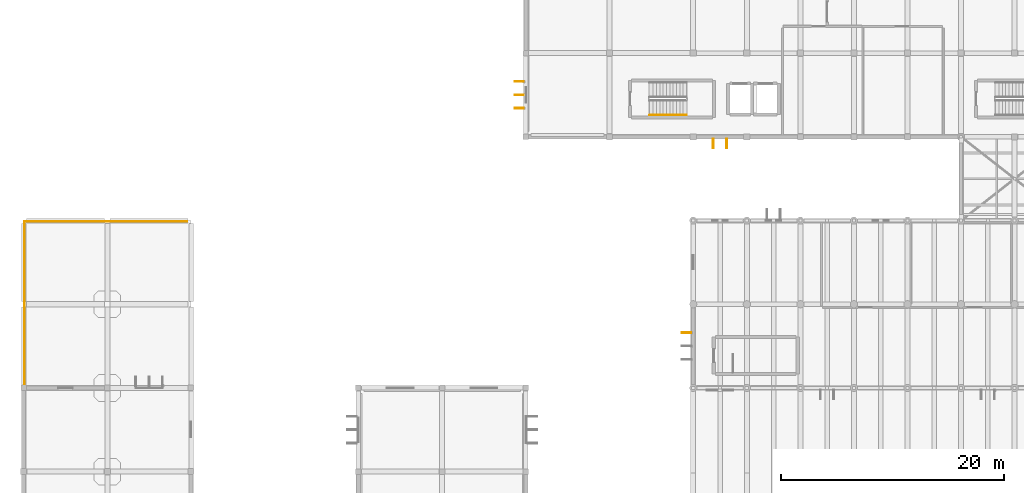
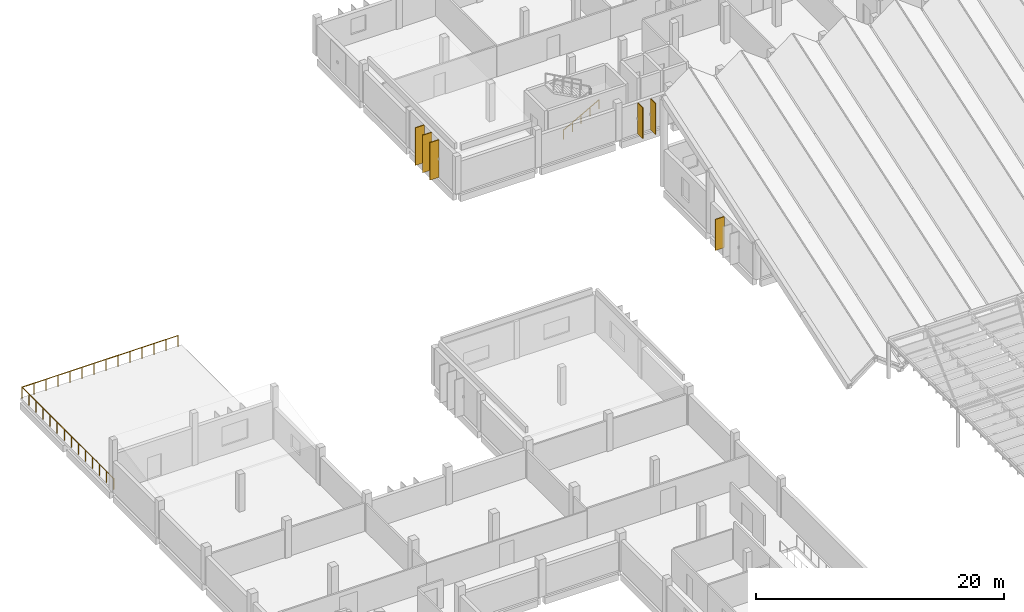
# One storey, part 43 of 47: 6 shading devices, 3 railings.
"""IFC4 building model written with IfcOpenShell, lengths in metres."""

from ifc_helpers import new_model, si_unit, direction, frame, origin, origin_2d, place, context, subcontext, project, spatial, hollow_rectangle, circle, extrude, material, material_profile, profile_set, type_object, element, save


model = new_model("IFC4")

# Units and contexts
model_context = context("Model", 3, precision=1e-05, world=origin(), true_north=direction((0.0, 1.0)))
body_context = subcontext(model_context, "Body", "Model", "MODEL_VIEW")
ifc_project = project(units=[si_unit("LENGTHUNIT", "METRE"), si_unit("AREAUNIT", "SQUARE_METRE"), si_unit("VOLUMEUNIT", "CUBIC_METRE"), si_unit("PLANEANGLEUNIT", "RADIAN"), si_unit("MASSUNIT", "GRAM", prefix="KILO")], contexts=[model_context])

# Site, building, storey
site_placement = place(None, origin())
site = spatial("IfcSite", under=ifc_project, at=site_placement, CompositionType="ELEMENT")
building_placement = place(site_placement, origin())
building = spatial("IfcBuilding", under=site, at=building_placement, Name="Mawjan Specialist Oncology Clinic", CompositionType="ELEMENT")
storey_placement = place(building_placement, frame((0.0, 0.0, 9.5)))
storey = spatial("IfcBuildingStorey", under=building, at=storey_placement, Name="L02", CompositionType="ELEMENT", Elevation=9.5)

# Railings
ifc_material_1 = material(Name="Laminated glass and stainless-steel balustrade", Category="steel")
railing_type_1 = type_object("IfcRailingType", Name="BL-110", PredefinedType="BALUSTRADE", material=ifc_material_1)
railing_1_placement = place(storey_placement, frame((0.080078125, 60.8798828125, 0.0)))
element("IfcRailing", 1, at=railing_1_placement, inside=storey, type_object=railing_type_1, Name="L02 Terrace Edge Balustrade 3", PredefinedType="BALUSTRADE", context=body_context, shape_type="SweptSolid", body=[
    extrude(circle(Radius=0.02392578125, at=origin_2d()), frame((0.0, 0.0, 1.076171875), z_axis=(0.0, 1.0, 0.0), x_axis=(-1.0, 0.0, 0.0)), (0.0, 0.0, 1.0), 14.840087890625),
    extrude(circle(Radius=0.02099609375, at=origin_2d()), origin(), (0.0, 0.0, 1.0), 1.052001953125),
    extrude(circle(Radius=0.02099609375, at=origin_2d()), frame((0.0, 1.1416015625, 0.0)), (0.0, 0.0, 1.0), 1.052001953125),
    extrude(circle(Radius=0.02099609375, at=origin_2d()), frame((0.0, 2.283203125, 0.0)), (0.0, 0.0, 1.0), 1.052001953125),
    extrude(circle(Radius=0.02099609375, at=origin_2d()), frame((0.0, 3.424560546875, 0.0)), (0.0, 0.0, 1.0), 1.052001953125),
    extrude(circle(Radius=0.02099609375, at=origin_2d()), frame((0.0, 4.566162109375, 0.0)), (0.0, 0.0, 1.0), 1.052001953125),
    extrude(circle(Radius=0.02099609375, at=origin_2d()), frame((0.0, 5.707763671875, 0.0)), (0.0, 0.0, 1.0), 1.052001953125),
    extrude(circle(Radius=0.02099609375, at=origin_2d()), frame((0.0, 6.849365234375, 0.0)), (0.0, 0.0, 1.0), 1.052001953125),
    extrude(circle(Radius=0.02099609375, at=origin_2d()), frame((0.0, 7.99072265625, 0.0)), (0.0, 0.0, 1.0), 1.052001953125),
    extrude(circle(Radius=0.02099609375, at=origin_2d()), frame((0.0, 9.13232421875, 0.0)), (0.0, 0.0, 1.0), 1.052001953125),
    extrude(circle(Radius=0.02099609375, at=origin_2d()), frame((0.0, 10.27392578125, 0.0)), (0.0, 0.0, 1.0), 1.052001953125),
    extrude(circle(Radius=0.02099609375, at=origin_2d()), frame((0.0, 11.41552734375, 0.0)), (0.0, 0.0, 1.0), 1.052001953125),
    extrude(circle(Radius=0.02099609375, at=origin_2d()), frame((0.0, 12.556884765625, 0.0)), (0.0, 0.0, 1.0), 1.052001953125),
    extrude(circle(Radius=0.02099609375, at=origin_2d()), frame((0.0, 13.698486328125, 0.0)), (0.0, 0.0, 1.0), 1.052001953125),
    extrude(circle(Radius=0.02099609375, at=origin_2d()), frame((0.0, 14.840087890625, 0.0)), (0.0, 0.0, 1.0), 1.052001953125),
])
railing_2_placement = place(storey_placement, frame((0.080078125, 75.719970703125, 0.0)))
element("IfcRailing", 2, at=railing_2_placement, inside=storey, type_object=railing_type_1, Name="L02 Terrace Edge Balustrade 4", PredefinedType="BALUSTRADE", context=body_context, shape_type="SweptSolid", body=[
    extrude(circle(Radius=0.02392578125, at=origin_2d()), frame((0.0, 0.0, 1.076171875), z_axis=(1.0, 0.0, 0.0), x_axis=(0.0, 1.0, 0.0)), (0.0, 0.0, 1.0), 14.579833984375),
    extrude(circle(Radius=0.02099609375, at=origin_2d()), origin(), (0.0, 0.0, 1.0), 1.052001953125),
    extrude(circle(Radius=0.02099609375, at=origin_2d()), frame((1.12158203125, 0.0, 0.0)), (0.0, 0.0, 1.0), 1.052001953125),
    extrude(circle(Radius=0.02099609375, at=origin_2d()), frame((2.2431640625, 0.0, 0.0)), (0.0, 0.0, 1.0), 1.052001953125),
    extrude(circle(Radius=0.02099609375, at=origin_2d()), frame((3.364501953125, 0.0, 0.0)), (0.0, 0.0, 1.0), 1.052001953125),
    extrude(circle(Radius=0.02099609375, at=origin_2d()), frame((4.486083984375, 0.0, 0.0)), (0.0, 0.0, 1.0), 1.052001953125),
    extrude(circle(Radius=0.02099609375, at=origin_2d()), frame((5.607666015625, 0.0, 0.0)), (0.0, 0.0, 1.0), 1.052001953125),
    extrude(circle(Radius=0.02099609375, at=origin_2d()), frame((6.729248046875, 0.0, 0.0)), (0.0, 0.0, 1.0), 1.052001953125),
    extrude(circle(Radius=0.02099609375, at=origin_2d()), frame((7.8505859375, 0.0, 0.0)), (0.0, 0.0, 1.0), 1.052001953125),
    extrude(circle(Radius=0.02099609375, at=origin_2d()), frame((8.97216796875, 0.0, 0.0)), (0.0, 0.0, 1.0), 1.052001953125),
    extrude(circle(Radius=0.02099609375, at=origin_2d()), frame((10.09375, 0.0, 0.0)), (0.0, 0.0, 1.0), 1.052001953125),
    extrude(circle(Radius=0.02099609375, at=origin_2d()), frame((11.21533203125, 0.0, 0.0)), (0.0, 0.0, 1.0), 1.052001953125),
    extrude(circle(Radius=0.02099609375, at=origin_2d()), frame((12.336669921875, 0.0, 0.0)), (0.0, 0.0, 1.0), 1.052001953125),
    extrude(circle(Radius=0.02099609375, at=origin_2d()), frame((13.458251953125, 0.0, 0.0)), (0.0, 0.0, 1.0), 1.052001953125),
    extrude(circle(Radius=0.02099609375, at=origin_2d()), frame((14.579833984375, 0.0, 0.0)), (0.0, 0.0, 1.0), 1.052001953125),
])
ifc_material_2 = material(Name="Brushed stainless-steel tubular handrail", Category="steel")
railing_type_2 = type_object("IfcRailingType", Name="HR-090", PredefinedType="HANDRAIL", material=ifc_material_2)
railing_3_placement = place(storey_placement, frame((56.10009765625, 85.25, 0.166748046875)))
element("IfcRailing", 3, at=railing_3_placement, inside=storey, type_object=railing_type_2, Name="L02 ST-03 stair handrail 1", PredefinedType="HANDRAIL", context=body_context, shape_type="SweptSolid", body=[
    extrude(circle(Radius=0.02392578125, at=origin_2d()), frame((0.0, 0.0, 0.8759765625), z_axis=(0.874154225373, 0.0, 0.485648422486), x_axis=(0.0, 1.0, 0.0)), (0.0, 0.0, 1.0), 3.77490234375),
    extrude(circle(Radius=0.02099609375, at=origin_2d()), origin(), (0.0, 0.0, 1.0), 0.851806640625),
    extrude(circle(Radius=0.02099609375, at=origin_2d()), frame((0.824951171875, 0.0, 0.458251953125)), (0.0, 0.0, 1.0), 0.851806640625),
    extrude(circle(Radius=0.02099609375, at=origin_2d()), frame((1.64990234375, 0.0, 0.91650390625)), (0.0, 0.0, 1.0), 0.851806640625),
    extrude(circle(Radius=0.02099609375, at=origin_2d()), frame((2.474853515625, 0.0, 1.375)), (0.0, 0.0, 1.0), 0.851806640625),
    extrude(circle(Radius=0.02099609375, at=origin_2d()), frame((3.2998046875, 0.0, 1.833251953125)), (0.0, 0.0, 1.0), 0.851806640625),
])

# Shading devices
ifc_material_3 = material(Name="Bronze-anodised aluminium 6063-T6", Category="aluminium")
ifc_material_profile = material_profile(ifc_material_3, hollow_rectangle(XDim=0.070068359375, YDim=0.85009765625, WallThickness=0.0048828125, at=origin_2d()), Name="FIN 850x70x5", Category="aluminium")
ifc_profile_set = profile_set([ifc_material_profile], Name="Bronze-anodised aluminium 6063-T6")
shading_device_type = type_object("IfcShadingDeviceType", Name="SF-850", PredefinedType="USERDEFINED", material=ifc_profile_set)
for number, where, z_axis, x_axis, name in (
    (4, (63.0, 82.7099609375, 0.0), (0.0, 0.0, 1.0), (-1.0, 0.0, 0.0), "L02 Vertical Solar Fin SF-0031"),
    (5, (61.800048828125, 82.7099609375, 0.0), (0.0, 0.0, 1.0), (-1.0, 0.0, 0.0), "L02 Vertical Solar Fin SF-0032"),
):
    element("IfcShadingDevice", number, at=place(storey_placement, frame(where, z_axis=z_axis, x_axis=x_axis)), inside=storey, type_object=shading_device_type, Name=name, ObjectType="SOLAR FIN", PredefinedType="USERDEFINED", context=body_context, shape_type="SweptSolid", body=[
        extrude(hollow_rectangle(XDim=0.070068359375, YDim=0.85009765625, WallThickness=0.0048828125, at=origin_2d()), origin(), (0.0, 0.0, 1.0), 3.034912109375),
    ])
for number, where, z_axis, x_axis, name in (
    (6, (44.409912109375, 85.85009765625, 0.0), (0.0, 0.0, 1.0), (0.0, 1.0, 0.0), "L02 Vertical Solar Fin SF-0033"),
    (7, (44.409912109375, 87.050048828125, 0.0), (0.0, 0.0, 1.0), (0.0, 1.0, 0.0), "L02 Vertical Solar Fin SF-0034"),
    (8, (44.409912109375, 88.25, 0.0), (0.0, 0.0, 1.0), (0.0, 1.0, 0.0), "L02 Vertical Solar Fin SF-0035"),
):
    element("IfcShadingDevice", number, at=place(storey_placement, frame(where, z_axis=z_axis, x_axis=x_axis)), inside=storey, type_object=shading_device_type, Name=name, ObjectType="SOLAR FIN", PredefinedType="USERDEFINED", context=body_context, shape_type="SweptSolid", body=[
        extrude(hollow_rectangle(XDim=0.070068359375, YDim=0.85009765625, WallThickness=0.0048828125, at=origin_2d()), origin(), (0.0, 0.0, 1.0), 3.699951171875),
    ])
shading_device_placement = place(storey_placement, frame((59.409912109375, 65.75, 0.0), z_axis=(0.0, 0.0, 1.0), x_axis=(0.0, 1.0, 0.0)))
element("IfcShadingDevice", 9, at=shading_device_placement, inside=storey, type_object=shading_device_type, Name="L02 Vertical Solar Fin SF-0055", ObjectType="SOLAR FIN", PredefinedType="USERDEFINED", context=body_context, shape_type="SweptSolid", body=[
    extrude(hollow_rectangle(XDim=0.070068359375, YDim=0.85009765625, WallThickness=0.0048828125, at=origin_2d()), origin(), (0.0, 0.0, 1.0), 3.0576171875),
])

save(model, "model.ifc")
